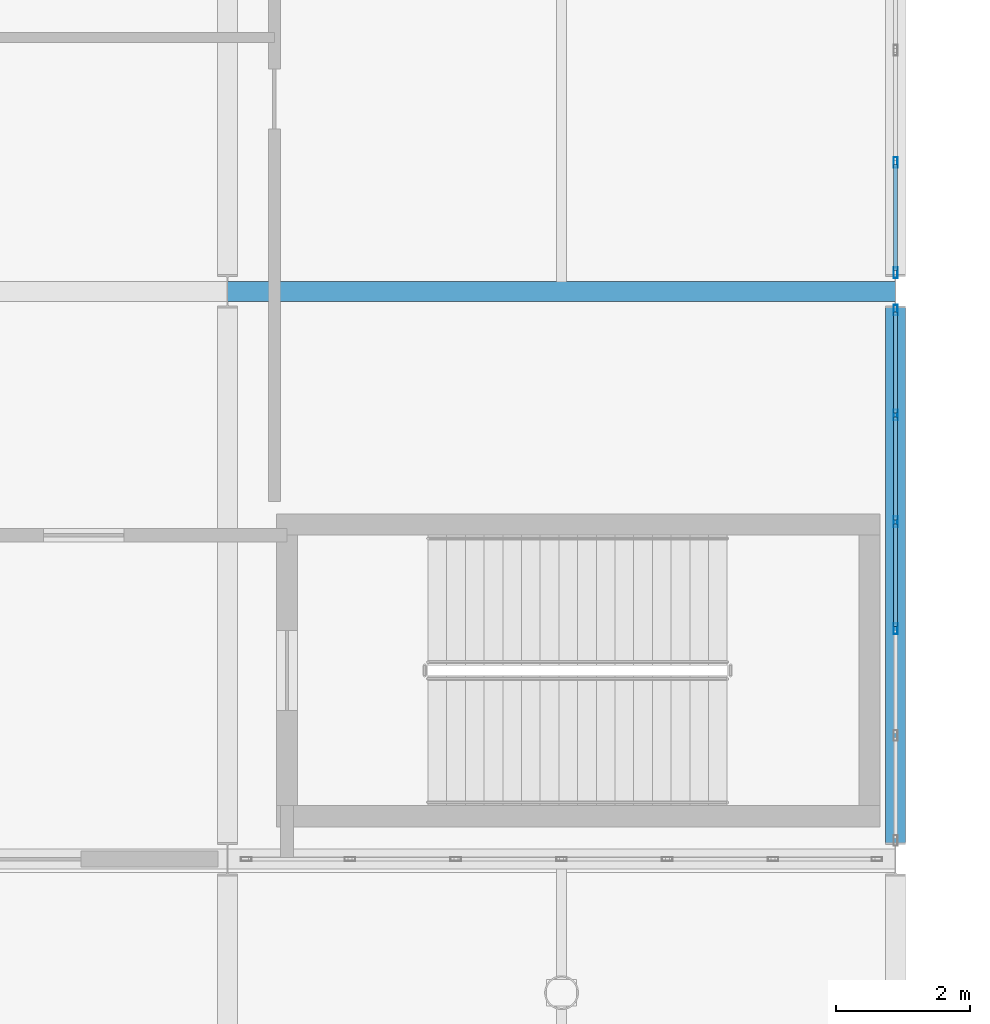
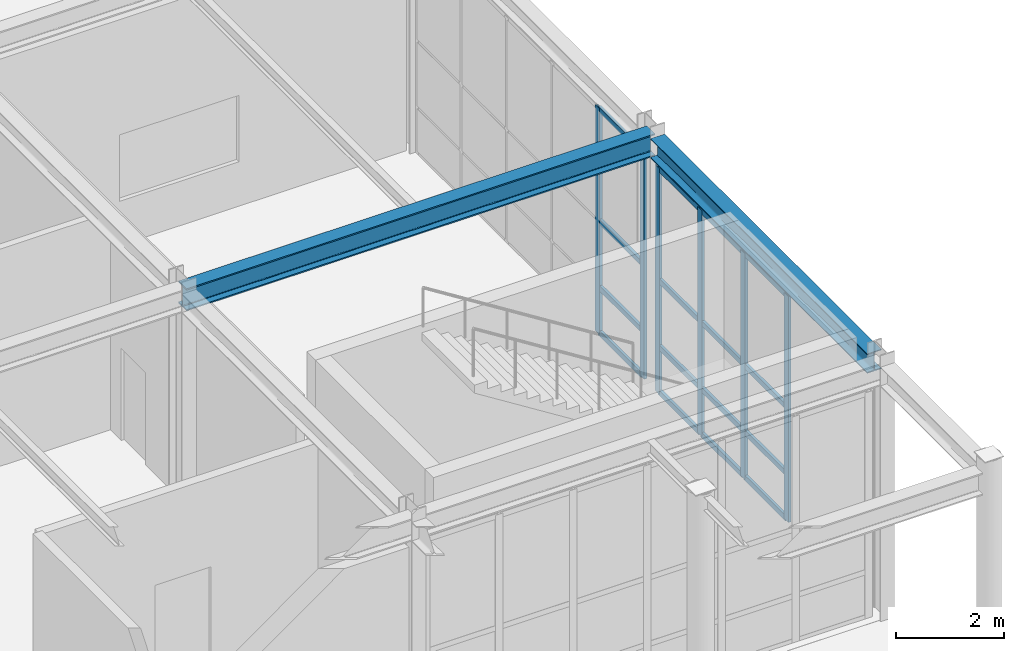
# One storey, part 85 of 146: 22 members, 2 beams, 2 elements without a shape of their own.
"""IFC4 building model written with IfcOpenShell, lengths in metres."""

from ifc_helpers import new_model, si_unit, direction, frame, origin, origin_2d, place, context, subcontext, project, spatial, hollow_rectangle, i_section, extrude, material, material_profile, profile_set, type_object, element, aggregate, save


model = new_model("IFC4")

# Units and contexts
model_context = context("Model", 3, precision=1e-05, world=origin(), true_north=direction((0.0, 1.0)))
body_context = subcontext(model_context, "Body", "Model", "MODEL_VIEW")
ifc_project = project(units=[si_unit("LENGTHUNIT", "METRE"), si_unit("AREAUNIT", "SQUARE_METRE"), si_unit("VOLUMEUNIT", "CUBIC_METRE"), si_unit("PLANEANGLEUNIT", "RADIAN"), si_unit("MASSUNIT", "GRAM", prefix="KILO")], contexts=[model_context])

# Site, building, storey
site_placement = place(None, origin())
site = spatial("IfcSite", under=ifc_project, at=site_placement, CompositionType="ELEMENT")
building_placement = place(site_placement, origin())
building = spatial("IfcBuilding", under=site, at=building_placement, Name="Kaldris Quays Convention Centre", CompositionType="ELEMENT")
storey_placement = place(building_placement, origin())
storey = spatial("IfcBuildingStorey", under=building, at=storey_placement, Name="L00", CompositionType="ELEMENT", Elevation=0.0)

# Curtain wall, members
ifc_material_1 = material(Name="Anodized aluminium AW-6060 and triple glazing", Category="aluminium")
curtain_wall_type = type_object("IfcCurtainWallType", Name="UNITISED CURTAIN WALL CW02", PredefinedType="NOTDEFINED", material=ifc_material_1)
curtain_wall_1_placement = place(storey_placement, origin())
curtain_wall_1 = element("IfcCurtainWall", 1, at=curtain_wall_1_placement, inside=storey, type_object=curtain_wall_type, Name="L00 Unitised Curtain Wall CW02 182", PredefinedType="NOTDEFINED")
ifc_material_2 = material(Name="Anodized aluminium AW-6060", Category="aluminium")
ifc_material_profile_1 = material_profile(ifc_material_2, hollow_rectangle(XDim=0.06005859375, YDim=0.159912109375, WallThickness=0.00390625, at=origin_2d()), Name="RHS 160x60x4")
ifc_profile_set_1 = profile_set([ifc_material_profile_1], Name="Anodized aluminium AW-6060")
member_type_1 = type_object("IfcMemberType", Name="CURTAIN MULLION CWM1", PredefinedType="MULLION", material=ifc_profile_set_1)
member_1_placement = place(storey_placement, frame((204.0, 23.449951171875, 0.0), z_axis=(0.0, 0.0, 1.0), x_axis=(-1.0, 0.0, 0.0)))
member_1 = element("IfcMember", 2, at=member_1_placement, type_object=member_type_1, Name="CW02 mullion 3", PredefinedType="MULLION", context=body_context, shape_type="SweptSolid", body=[
    extrude(hollow_rectangle(XDim=0.06005859375, YDim=0.159912109375, WallThickness=0.00390625, at=origin_2d()), origin(), (0.0, 0.0, 1.0), 5.10009765625),
])
member_2_placement = place(storey_placement, frame((204.0, 25.050048828125, 0.0), z_axis=(0.0, 0.0, 1.0), x_axis=(-1.0, 0.0, 0.0)))
member_2 = element("IfcMember", 3, at=member_2_placement, type_object=member_type_1, Name="CW02 mullion 4", PredefinedType="MULLION", context=body_context, shape_type="SweptSolid", body=[
    extrude(hollow_rectangle(XDim=0.06005859375, YDim=0.159912109375, WallThickness=0.00390625, at=origin_2d()), origin(), (0.0, 0.0, 1.0), 5.10009765625),
])
member_3_placement = place(storey_placement, frame((204.0, 26.64990234375, 0.0), z_axis=(0.0, 0.0, 1.0), x_axis=(-1.0, 0.0, 0.0)))
member_3 = element("IfcMember", 4, at=member_3_placement, type_object=member_type_1, Name="CW02 mullion 5", PredefinedType="MULLION", context=body_context, shape_type="SweptSolid", body=[
    extrude(hollow_rectangle(XDim=0.06005859375, YDim=0.159912109375, WallThickness=0.00390625, at=origin_2d()), origin(), (0.0, 0.0, 1.0), 5.10009765625),
])
member_4_placement = place(storey_placement, frame((204.0, 28.219970703125, 0.0), z_axis=(0.0, 0.0, 1.0), x_axis=(-1.0, 0.0, 0.0)))
member_4 = element("IfcMember", 5, at=member_4_placement, type_object=member_type_1, Name="CW02 mullion 6", PredefinedType="MULLION", context=body_context, shape_type="SweptSolid", body=[
    extrude(hollow_rectangle(XDim=0.06005859375, YDim=0.159912109375, WallThickness=0.00390625, at=origin_2d()), origin(), (0.0, 0.0, 1.0), 5.10009765625),
])

curtain_wall_2_placement = place(storey_placement, origin())
curtain_wall_2 = element("IfcCurtainWall", 6, at=curtain_wall_2_placement, inside=storey, type_object=curtain_wall_type, Name="L00 Unitised Curtain Wall CW02 184", PredefinedType="NOTDEFINED")
member_5_placement = place(storey_placement, frame((204.0, 28.780029296875, 0.0), z_axis=(0.0, 0.0, 1.0), x_axis=(-1.0, 0.0, 0.0)))
member_5 = element("IfcMember", 7, at=member_5_placement, type_object=member_type_1, Name="CW02 mullion 1", PredefinedType="MULLION", context=body_context, shape_type="SweptSolid", body=[
    extrude(hollow_rectangle(XDim=0.06005859375, YDim=0.159912109375, WallThickness=0.00390625, at=origin_2d()), origin(), (0.0, 0.0, 1.0), 5.10009765625),
])
member_6_placement = place(storey_placement, frame((204.0, 30.429931640625, 0.0), z_axis=(0.0, 0.0, 1.0), x_axis=(-1.0, 0.0, 0.0)))
member_6 = element("IfcMember", 8, at=member_6_placement, type_object=member_type_1, Name="CW02 mullion 2", PredefinedType="MULLION", context=body_context, shape_type="SweptSolid", body=[
    extrude(hollow_rectangle(XDim=0.06005859375, YDim=0.159912109375, WallThickness=0.00390625, at=origin_2d()), origin(), (0.0, 0.0, 1.0), 5.10009765625),
])

# Member
ifc_material_profile_2 = material_profile(ifc_material_2, hollow_rectangle(XDim=0.06005859375, YDim=0.1201171875, WallThickness=0.00390625, at=origin_2d()), Name="RHS 120x60x4")
ifc_profile_set_2 = profile_set([ifc_material_profile_2], Name="Anodized aluminium AW-6060")
member_type_2 = type_object("IfcMemberType", Name="CURTAIN TRANSOM CWT1", PredefinedType="USERDEFINED", material=ifc_profile_set_2)
member_7_placement = place(storey_placement, frame((204.0, 23.47998046875, 0.030029296875), z_axis=(0.0, 1.0, 0.0), x_axis=(-1.0, 0.0, 0.0)))
member_7 = element("IfcMember", 9, at=member_7_placement, type_object=member_type_2, Name="CW02 transom 3.1", ObjectType="TRANSOM", PredefinedType="USERDEFINED", context=body_context, shape_type="SweptSolid", body=[
    extrude(hollow_rectangle(XDim=0.06005859375, YDim=0.1201171875, WallThickness=0.00390625, at=origin_2d()), origin(), (0.0, 0.0, 1.0), 1.5400390625),
])

member_8_placement = place(storey_placement, frame((204.0, 23.47998046875, 1.050048828125), z_axis=(0.0, 1.0, 0.0), x_axis=(-1.0, 0.0, 0.0)))
member_8 = element("IfcMember", 10, at=member_8_placement, type_object=member_type_2, Name="CW02 transom 3.2", ObjectType="TRANSOM", PredefinedType="USERDEFINED", context=body_context, shape_type="SweptSolid", body=[
    extrude(hollow_rectangle(XDim=0.06005859375, YDim=0.1201171875, WallThickness=0.00390625, at=origin_2d()), origin(), (0.0, 0.0, 1.0), 1.5400390625),
])

member_9_placement = place(storey_placement, frame((204.0, 23.47998046875, 2.550048828125), z_axis=(0.0, 1.0, 0.0), x_axis=(-1.0, 0.0, 0.0)))
member_9 = element("IfcMember", 11, at=member_9_placement, type_object=member_type_2, Name="CW02 transom 3.3", ObjectType="TRANSOM", PredefinedType="USERDEFINED", context=body_context, shape_type="SweptSolid", body=[
    extrude(hollow_rectangle(XDim=0.06005859375, YDim=0.1201171875, WallThickness=0.00390625, at=origin_2d()), origin(), (0.0, 0.0, 1.0), 1.5400390625),
])

member_10_placement = place(storey_placement, frame((204.0, 23.47998046875, 5.070068359375), z_axis=(0.0, 1.0, 0.0), x_axis=(-1.0, 0.0, 0.0)))
member_10 = element("IfcMember", 12, at=member_10_placement, type_object=member_type_2, Name="CW02 transom 3.4", ObjectType="TRANSOM", PredefinedType="USERDEFINED", context=body_context, shape_type="SweptSolid", body=[
    extrude(hollow_rectangle(XDim=0.06005859375, YDim=0.1201171875, WallThickness=0.00390625, at=origin_2d()), origin(), (0.0, 0.0, 1.0), 1.5400390625),
])

member_11_placement = place(storey_placement, frame((204.0, 25.080078125, 0.030029296875), z_axis=(0.0, 1.0, 0.0), x_axis=(-1.0, 0.0, 0.0)))
member_11 = element("IfcMember", 13, at=member_11_placement, type_object=member_type_2, Name="CW02 transom 4.1", ObjectType="TRANSOM", PredefinedType="USERDEFINED", context=body_context, shape_type="SweptSolid", body=[
    extrude(hollow_rectangle(XDim=0.06005859375, YDim=0.1201171875, WallThickness=0.00390625, at=origin_2d()), origin(), (0.0, 0.0, 1.0), 1.5400390625),
])

member_12_placement = place(storey_placement, frame((204.0, 25.080078125, 1.050048828125), z_axis=(0.0, 1.0, 0.0), x_axis=(-1.0, 0.0, 0.0)))
member_12 = element("IfcMember", 14, at=member_12_placement, type_object=member_type_2, Name="CW02 transom 4.2", ObjectType="TRANSOM", PredefinedType="USERDEFINED", context=body_context, shape_type="SweptSolid", body=[
    extrude(hollow_rectangle(XDim=0.06005859375, YDim=0.1201171875, WallThickness=0.00390625, at=origin_2d()), origin(), (0.0, 0.0, 1.0), 1.5400390625),
])

member_13_placement = place(storey_placement, frame((204.0, 25.080078125, 2.550048828125), z_axis=(0.0, 1.0, 0.0), x_axis=(-1.0, 0.0, 0.0)))
member_13 = element("IfcMember", 15, at=member_13_placement, type_object=member_type_2, Name="CW02 transom 4.3", ObjectType="TRANSOM", PredefinedType="USERDEFINED", context=body_context, shape_type="SweptSolid", body=[
    extrude(hollow_rectangle(XDim=0.06005859375, YDim=0.1201171875, WallThickness=0.00390625, at=origin_2d()), origin(), (0.0, 0.0, 1.0), 1.5400390625),
])

member_14_placement = place(storey_placement, frame((204.0, 25.080078125, 5.070068359375), z_axis=(0.0, 1.0, 0.0), x_axis=(-1.0, 0.0, 0.0)))
member_14 = element("IfcMember", 16, at=member_14_placement, type_object=member_type_2, Name="CW02 transom 4.4", ObjectType="TRANSOM", PredefinedType="USERDEFINED", context=body_context, shape_type="SweptSolid", body=[
    extrude(hollow_rectangle(XDim=0.06005859375, YDim=0.1201171875, WallThickness=0.00390625, at=origin_2d()), origin(), (0.0, 0.0, 1.0), 1.5400390625),
])

member_15_placement = place(storey_placement, frame((204.0, 26.679931640625, 0.030029296875), z_axis=(0.0, 1.0, 0.0), x_axis=(-1.0, 0.0, 0.0)))
member_15 = element("IfcMember", 17, at=member_15_placement, type_object=member_type_2, Name="CW02 transom 5.1", ObjectType="TRANSOM", PredefinedType="USERDEFINED", context=body_context, shape_type="SweptSolid", body=[
    extrude(hollow_rectangle(XDim=0.06005859375, YDim=0.1201171875, WallThickness=0.00390625, at=origin_2d()), origin(), (0.0, 0.0, 1.0), 1.510009765625),
])

member_16_placement = place(storey_placement, frame((204.0, 26.679931640625, 1.050048828125), z_axis=(0.0, 1.0, 0.0), x_axis=(-1.0, 0.0, 0.0)))
member_16 = element("IfcMember", 18, at=member_16_placement, type_object=member_type_2, Name="CW02 transom 5.2", ObjectType="TRANSOM", PredefinedType="USERDEFINED", context=body_context, shape_type="SweptSolid", body=[
    extrude(hollow_rectangle(XDim=0.06005859375, YDim=0.1201171875, WallThickness=0.00390625, at=origin_2d()), origin(), (0.0, 0.0, 1.0), 1.510009765625),
])

member_17_placement = place(storey_placement, frame((204.0, 26.679931640625, 2.550048828125), z_axis=(0.0, 1.0, 0.0), x_axis=(-1.0, 0.0, 0.0)))
member_17 = element("IfcMember", 19, at=member_17_placement, type_object=member_type_2, Name="CW02 transom 5.3", ObjectType="TRANSOM", PredefinedType="USERDEFINED", context=body_context, shape_type="SweptSolid", body=[
    extrude(hollow_rectangle(XDim=0.06005859375, YDim=0.1201171875, WallThickness=0.00390625, at=origin_2d()), origin(), (0.0, 0.0, 1.0), 1.510009765625),
])

member_18_placement = place(storey_placement, frame((204.0, 26.679931640625, 5.070068359375), z_axis=(0.0, 1.0, 0.0), x_axis=(-1.0, 0.0, 0.0)))
member_18 = element("IfcMember", 20, at=member_18_placement, type_object=member_type_2, Name="CW02 transom 5.4", ObjectType="TRANSOM", PredefinedType="USERDEFINED", context=body_context, shape_type="SweptSolid", body=[
    extrude(hollow_rectangle(XDim=0.06005859375, YDim=0.1201171875, WallThickness=0.00390625, at=origin_2d()), origin(), (0.0, 0.0, 1.0), 1.510009765625),
])

aggregate(curtain_wall_1, [member_1, member_2, member_3, member_4, member_7, member_8, member_9, member_10, member_11, member_12, member_13, member_14, member_15, member_16, member_17, member_18])

member_19_placement = place(storey_placement, frame((204.0, 28.81005859375, 0.030029296875), z_axis=(0.0, 1.0, 0.0), x_axis=(-1.0, 0.0, 0.0)))
member_19 = element("IfcMember", 21, at=member_19_placement, type_object=member_type_2, Name="CW02 transom 1.1", ObjectType="TRANSOM", PredefinedType="USERDEFINED", context=body_context, shape_type="SweptSolid", body=[
    extrude(hollow_rectangle(XDim=0.06005859375, YDim=0.1201171875, WallThickness=0.00390625, at=origin_2d()), origin(), (0.0, 0.0, 1.0), 1.58984375),
])

member_20_placement = place(storey_placement, frame((204.0, 28.81005859375, 1.050048828125), z_axis=(0.0, 1.0, 0.0), x_axis=(-1.0, 0.0, 0.0)))
member_20 = element("IfcMember", 22, at=member_20_placement, type_object=member_type_2, Name="CW02 transom 1.2", ObjectType="TRANSOM", PredefinedType="USERDEFINED", context=body_context, shape_type="SweptSolid", body=[
    extrude(hollow_rectangle(XDim=0.06005859375, YDim=0.1201171875, WallThickness=0.00390625, at=origin_2d()), origin(), (0.0, 0.0, 1.0), 1.58984375),
])

member_21_placement = place(storey_placement, frame((204.0, 28.81005859375, 2.550048828125), z_axis=(0.0, 1.0, 0.0), x_axis=(-1.0, 0.0, 0.0)))
member_21 = element("IfcMember", 23, at=member_21_placement, type_object=member_type_2, Name="CW02 transom 1.3", ObjectType="TRANSOM", PredefinedType="USERDEFINED", context=body_context, shape_type="SweptSolid", body=[
    extrude(hollow_rectangle(XDim=0.06005859375, YDim=0.1201171875, WallThickness=0.00390625, at=origin_2d()), origin(), (0.0, 0.0, 1.0), 1.58984375),
])

member_22_placement = place(storey_placement, frame((204.0, 28.81005859375, 5.070068359375), z_axis=(0.0, 1.0, 0.0), x_axis=(-1.0, 0.0, 0.0)))
member_22 = element("IfcMember", 24, at=member_22_placement, type_object=member_type_2, Name="CW02 transom 1.4", ObjectType="TRANSOM", PredefinedType="USERDEFINED", context=body_context, shape_type="SweptSolid", body=[
    extrude(hollow_rectangle(XDim=0.06005859375, YDim=0.1201171875, WallThickness=0.00390625, at=origin_2d()), origin(), (0.0, 0.0, 1.0), 1.58984375),
])

aggregate(curtain_wall_2, [member_5, member_6, member_19, member_20, member_21, member_22])

# Beams
ifc_material_3 = material(Name="Steel S355J2", Category="steel")
ifc_material_profile_3 = material_profile(ifc_material_3, i_section(OverallWidth=0.300048828125, OverallDepth=0.5, WebThickness=0.014404296875, FlangeThickness=0.028076171875, FilletRadius=0.027099609375, at=origin_2d()), Name="HEB 500")
ifc_profile_set_3 = profile_set([ifc_material_profile_3], Name="Steel S355J2")
beam_type_1 = type_object("IfcBeamType", Name="STRUCTURAL BEAM BM06", PredefinedType="BEAM", material=ifc_profile_set_3)
beam_1_placement = place(storey_placement, frame((194.001220703125, 28.5, 5.492919921875), z_axis=(1.0, 0.0, 0.0), x_axis=(0.0, 1.0, 0.0)))
element("IfcBeam", 25, at=beam_1_placement, inside=storey, type_object=beam_type_1, Name="L00 Girder BM06 15", PredefinedType="BEAM", context=body_context, shape_type="SweptSolid", body=[
    extrude(i_section(OverallWidth=0.300048828125, OverallDepth=0.5, WebThickness=0.014404296875, FlangeThickness=0.028076171875, FilletRadius=0.027099609375, at=origin_2d()), origin(), (0.0, 0.0, 1.0), 9.99755859375),
])
ifc_material_profile_4 = material_profile(ifc_material_3, i_section(OverallWidth=0.300048828125, OverallDepth=0.43994140625, WebThickness=0.011474609375, FlangeThickness=0.02099609375, FilletRadius=0.027099609375, at=origin_2d()), Name="HEA 450")
ifc_profile_set_4 = profile_set([ifc_material_profile_4], Name="Steel S355J2")
beam_type_2 = type_object("IfcBeamType", Name="STRUCTURAL BEAM BM14", PredefinedType="BEAM", material=ifc_profile_set_4)
beam_2_placement = place(storey_placement, frame((204.0, 20.243896484375, 5.52294921875), z_axis=(0.0, 1.0, 0.0), x_axis=(-1.0, 0.0, 0.0)))
element("IfcBeam", 26, at=beam_2_placement, inside=storey, type_object=beam_type_2, Name="L00 Girder BM14 37", PredefinedType="BEAM", context=body_context, shape_type="SweptSolid", body=[
    extrude(i_section(OverallWidth=0.300048828125, OverallDepth=0.43994140625, WebThickness=0.011474609375, FlangeThickness=0.02099609375, FilletRadius=0.027099609375, at=origin_2d()), origin(), (0.0, 0.0, 1.0), 8.01220703125),
])

save(model, "model.ifc")
